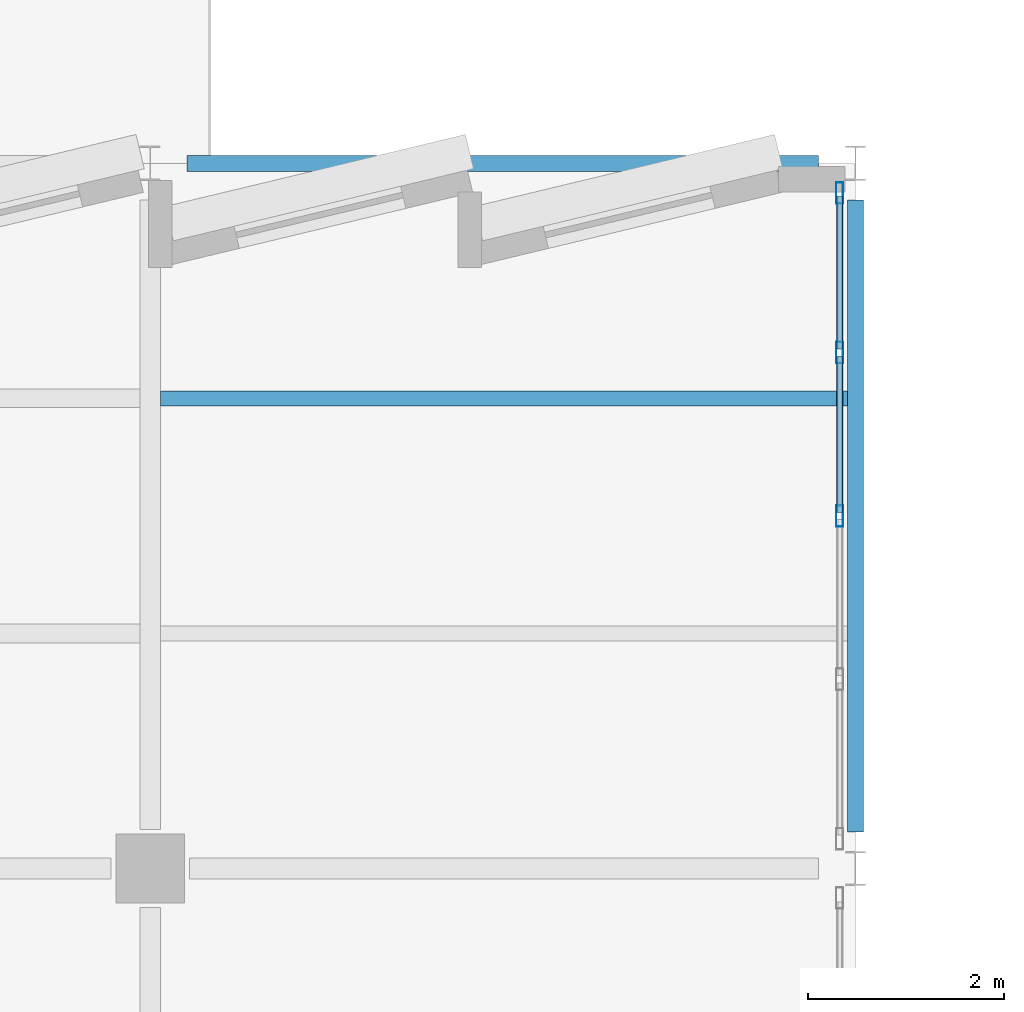
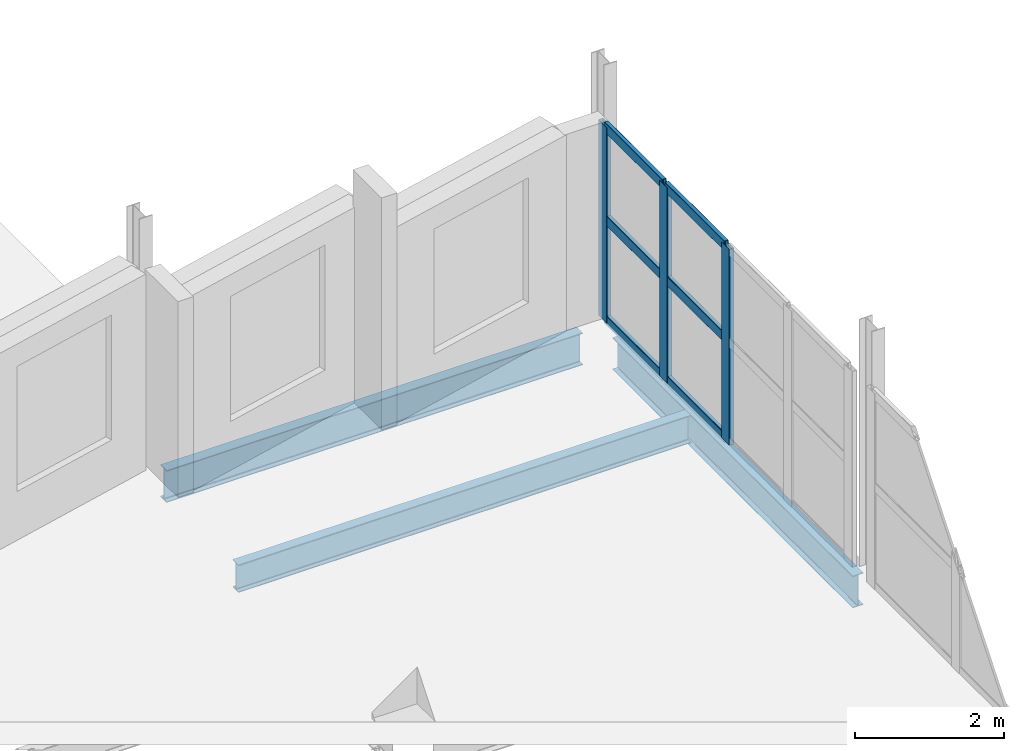
# One storey, part 17 of 38: 9 members, 3 beams, 1 element without a shape of its own.
"""IFC4 building model written with IfcOpenShell, lengths in metres."""

from ifc_helpers import new_model, si_unit, direction, frame, origin, origin_2d, place, context, subcontext, project, spatial, hollow_rectangle, i_section, extrude, material, material_profile, profile_set, type_object, element, aggregate, save


model = new_model("IFC4")

# Units and contexts
model_context = context("Model", 3, precision=1e-05, world=origin(), true_north=direction((0.0, 1.0)))
body_context = subcontext(model_context, "Body", "Model", "MODEL_VIEW")
ifc_project = project(units=[si_unit("LENGTHUNIT", "METRE"), si_unit("AREAUNIT", "SQUARE_METRE"), si_unit("VOLUMEUNIT", "CUBIC_METRE"), si_unit("PLANEANGLEUNIT", "RADIAN"), si_unit("MASSUNIT", "GRAM", prefix="KILO")], contexts=[model_context])

# Site, building, storey
site_placement = place(None, origin())
site = spatial("IfcSite", under=ifc_project, at=site_placement, CompositionType="ELEMENT")
building_placement = place(site_placement, origin())
building = spatial("IfcBuilding", under=site, at=building_placement, Name="Kalmorath City Hall", CompositionType="ELEMENT")
storey_placement = place(building_placement, frame((0.0, 0.0, 18.89990234375)))
storey = spatial("IfcBuildingStorey", under=building, at=storey_placement, Name="L04", CompositionType="ELEMENT", Elevation=18.89990234375)

# Curtain wall, members
ifc_material_1 = material(Name="Anodised aluminium and laminated glass", Category="aluminium")
curtain_wall_type = type_object("IfcCurtainWallType", Name="Unitised hurricane curtain wall 6670x3208 M1500", PredefinedType="NOTDEFINED", material=ifc_material_1)
curtain_wall_placement = place(storey_placement, origin())
curtain_wall = element("IfcCurtainWall", 1, at=curtain_wall_placement, inside=storey, type_object=curtain_wall_type, Name="L04 curtain wall CW-67X32M15 #163", PredefinedType="NOTDEFINED")
ifc_material_2 = material(Name="Anodised aluminium framing", Category="aluminium")
ifc_material_profile_1 = material_profile(ifc_material_2, hollow_rectangle(XDim=0.074951171875, YDim=0.219970703125, WallThickness=0.00390625, InnerFilletRadius=0.00390625, OuterFilletRadius=0.008056640625, at=origin_2d()), Name="ALU-MUL-220X75X4")
ifc_profile_set_1 = profile_set([ifc_material_profile_1], Name="Anodised aluminium framing")
member_type_1 = type_object("IfcMemberType", Name="Curtain-wall primary mullion 220x75", PredefinedType="MULLION", material=ifc_profile_set_1)
member_1_placement = place(storey_placement, frame((35.840087890625, 35.697509765625, 0.0), z_axis=(0.0, 0.0, 1.0), x_axis=(1.0, 0.0, 0.0)))
member_1 = element("IfcMember", 2, at=member_1_placement, type_object=member_type_1, Name="CW-67X32M15 mullion 1", PredefinedType="MULLION", context=body_context, shape_type="SweptSolid", body=[
    extrude(hollow_rectangle(XDim=0.074951171875, YDim=0.219970703125, WallThickness=0.00390625, InnerFilletRadius=0.00390625, OuterFilletRadius=0.008056640625, at=origin_2d()), origin(), (0.0, 0.0, 1.0), 3.2080078125),
])
member_2_placement = place(storey_placement, frame((35.840087890625, 34.0673828125, 0.0), z_axis=(0.0, 0.0, 1.0), x_axis=(1.0, 0.0, 0.0)))
member_2 = element("IfcMember", 3, at=member_2_placement, type_object=member_type_1, Name="CW-67X32M15 mullion 2", PredefinedType="MULLION", context=body_context, shape_type="SweptSolid", body=[
    extrude(hollow_rectangle(XDim=0.074951171875, YDim=0.219970703125, WallThickness=0.00390625, InnerFilletRadius=0.00390625, OuterFilletRadius=0.008056640625, at=origin_2d()), origin(), (0.0, 0.0, 1.0), 3.2080078125),
])
member_3_placement = place(storey_placement, frame((35.840087890625, 32.39990234375, 0.0), z_axis=(0.0, 0.0, 1.0), x_axis=(1.0, 0.0, 0.0)))
member_3 = element("IfcMember", 4, at=member_3_placement, type_object=member_type_1, Name="CW-67X32M15 mullion 3", PredefinedType="MULLION", context=body_context, shape_type="SweptSolid", body=[
    extrude(hollow_rectangle(XDim=0.074951171875, YDim=0.219970703125, WallThickness=0.00390625, InnerFilletRadius=0.00390625, OuterFilletRadius=0.008056640625, at=origin_2d()), origin(), (0.0, 0.0, 1.0), 3.2080078125),
])
ifc_material_3 = material(Name="Anodised aluminium framing", Category="aluminium")
ifc_material_profile_2 = material_profile(ifc_material_3, hollow_rectangle(XDim=0.06494140625, YDim=0.159912109375, WallThickness=0.00390625, InnerFilletRadius=0.00390625, OuterFilletRadius=0.008056640625, at=origin_2d()), Name="ALU-TRN-160X65X4")
ifc_profile_set_2 = profile_set([ifc_material_profile_2], Name="Anodised aluminium framing")
member_type_2 = type_object("IfcMemberType", Name="Curtain-wall primary transom 160x65", PredefinedType="USERDEFINED", material=ifc_profile_set_2)
member_4_placement = place(storey_placement, frame((35.840087890625, 35.659912109375, 0.03271484375), z_axis=(0.0, -1.0, 0.0), x_axis=(1.0, 0.0, 0.0)))
member_4 = element("IfcMember", 5, at=member_4_placement, type_object=member_type_2, Name="CW-67X32M15 transom 1.1", ObjectType="TRANSOM", PredefinedType="USERDEFINED", context=body_context, shape_type="SweptSolid", body=[
    extrude(hollow_rectangle(XDim=0.06494140625, YDim=0.159912109375, WallThickness=0.00390625, InnerFilletRadius=0.00390625, OuterFilletRadius=0.008056640625, at=origin_2d()), origin(), (0.0, 0.0, 1.0), 1.554931640625),
])
member_5_placement = place(storey_placement, frame((35.840087890625, 35.659912109375, 1.668212890625), z_axis=(0.0, -1.0, 0.0), x_axis=(1.0, 0.0, 0.0)))
member_5 = element("IfcMember", 6, at=member_5_placement, type_object=member_type_2, Name="CW-67X32M15 transom 1.2", ObjectType="TRANSOM", PredefinedType="USERDEFINED", context=body_context, shape_type="SweptSolid", body=[
    extrude(hollow_rectangle(XDim=0.06494140625, YDim=0.159912109375, WallThickness=0.00390625, InnerFilletRadius=0.00390625, OuterFilletRadius=0.008056640625, at=origin_2d()), origin(), (0.0, 0.0, 1.0), 1.554931640625),
])
member_6_placement = place(storey_placement, frame((35.840087890625, 35.659912109375, 3.175537109375), z_axis=(0.0, -1.0, 0.0), x_axis=(1.0, 0.0, 0.0)))
member_6 = element("IfcMember", 7, at=member_6_placement, type_object=member_type_2, Name="CW-67X32M15 transom 1.3", ObjectType="TRANSOM", PredefinedType="USERDEFINED", context=body_context, shape_type="SweptSolid", body=[
    extrude(hollow_rectangle(XDim=0.06494140625, YDim=0.159912109375, WallThickness=0.00390625, InnerFilletRadius=0.00390625, OuterFilletRadius=0.008056640625, at=origin_2d()), origin(), (0.0, 0.0, 1.0), 1.554931640625),
])
member_7_placement = place(storey_placement, frame((35.840087890625, 34.030029296875, 0.03271484375), z_axis=(0.0, -1.0, 0.0), x_axis=(1.0, 0.0, 0.0)))
member_7 = element("IfcMember", 8, at=member_7_placement, type_object=member_type_2, Name="CW-67X32M15 transom 2.1", ObjectType="TRANSOM", PredefinedType="USERDEFINED", context=body_context, shape_type="SweptSolid", body=[
    extrude(hollow_rectangle(XDim=0.06494140625, YDim=0.159912109375, WallThickness=0.00390625, InnerFilletRadius=0.00390625, OuterFilletRadius=0.008056640625, at=origin_2d()), origin(), (0.0, 0.0, 1.0), 1.592529296875),
])
member_8_placement = place(storey_placement, frame((35.840087890625, 34.030029296875, 1.668212890625), z_axis=(0.0, -1.0, 0.0), x_axis=(1.0, 0.0, 0.0)))
member_8 = element("IfcMember", 9, at=member_8_placement, type_object=member_type_2, Name="CW-67X32M15 transom 2.2", ObjectType="TRANSOM", PredefinedType="USERDEFINED", context=body_context, shape_type="SweptSolid", body=[
    extrude(hollow_rectangle(XDim=0.06494140625, YDim=0.159912109375, WallThickness=0.00390625, InnerFilletRadius=0.00390625, OuterFilletRadius=0.008056640625, at=origin_2d()), origin(), (0.0, 0.0, 1.0), 1.592529296875),
])
member_9_placement = place(storey_placement, frame((35.840087890625, 34.030029296875, 3.175537109375), z_axis=(0.0, -1.0, 0.0), x_axis=(1.0, 0.0, 0.0)))
member_9 = element("IfcMember", 10, at=member_9_placement, type_object=member_type_2, Name="CW-67X32M15 transom 2.3", ObjectType="TRANSOM", PredefinedType="USERDEFINED", context=body_context, shape_type="SweptSolid", body=[
    extrude(hollow_rectangle(XDim=0.06494140625, YDim=0.159912109375, WallThickness=0.00390625, InnerFilletRadius=0.00390625, OuterFilletRadius=0.008056640625, at=origin_2d()), origin(), (0.0, 0.0, 1.0), 1.592529296875),
])
aggregate(curtain_wall, [member_1, member_2, member_3, member_4, member_5, member_6, member_7, member_8, member_9])

# Beams
ifc_material_4 = material(Name="Steel ASTM A992 Grade 50", Category="steel")
ifc_material_profile_3 = material_profile(ifc_material_4, i_section(OverallWidth=0.153076171875, OverallDepth=0.455078125, WebThickness=0.008056640625, FlangeThickness=0.01318359375, FilletRadius=0.013916015625, at=origin_2d()), Name="W18X40")
ifc_profile_set_3 = profile_set([ifc_material_profile_3], Name="Steel ASTM A992 Grade 50")
beam_type_1 = type_object("IfcBeamType", Name="Steel composite joist W18X40", PredefinedType="JOIST", material=ifc_profile_set_3)
beam_placement = place(storey_placement, frame((28.905517578125, 33.60009765625, -0.521484375), z_axis=(1.0, 0.0, 0.0), x_axis=(0.0, 1.0, 0.0)))
element("IfcBeam", 11, at=beam_placement, inside=storey, type_object=beam_type_1, Name="L04 joist SJ4 5.5.2", PredefinedType="JOIST", context=body_context, shape_type="SweptSolid", body=[
    extrude(i_section(OverallWidth=0.153076171875, OverallDepth=0.455078125, WebThickness=0.008056640625, FlangeThickness=0.01318359375, FilletRadius=0.013916015625, at=origin_2d()), origin(), (0.0, 0.0, 1.0), 7.011962890625),
])
ifc_material_5 = material(Name="Steel ASTM A992 Grade 50", Category="steel")
ifc_material_profile_4 = material_profile(ifc_material_5, i_section(OverallWidth=0.1650390625, OverallDepth=0.52490234375, WebThickness=0.0087890625, FlangeThickness=0.011474609375, FilletRadius=0.014892578125, at=origin_2d()), Name="W21X44")
ifc_profile_set_4 = profile_set([ifc_material_profile_4], Name="Steel ASTM A992 Grade 50")
beam_type_2 = type_object("IfcBeamType", Name="Steel spandrel beam W21X44", PredefinedType="SPANDREL", material=ifc_profile_set_4)
for number, where, z_axis, x_axis, name in (
    (12, (29.175048828125, 36.0, -0.556396484375), (1.0, 0.0, 0.0), (0.0, 1.0, 0.0), "L04 girder SB4 X5-6/6"),
    (13, (36.0, 29.175048828125, -0.556396484375), (0.0, 1.0, 0.0), (-1.0, 0.0, 0.0), "L04 girder SB4 Y6/5-6"),
):
    element("IfcBeam", number, at=place(storey_placement, frame(where, z_axis=z_axis, x_axis=x_axis)), inside=storey, type_object=beam_type_2, Name=name, PredefinedType="SPANDREL", context=body_context, shape_type="SweptSolid", body=[
        extrude(i_section(OverallWidth=0.1650390625, OverallDepth=0.52490234375, WebThickness=0.0087890625, FlangeThickness=0.011474609375, FilletRadius=0.014892578125, at=origin_2d()), origin(), (0.0, 0.0, 1.0), 6.449951171875),
    ])

save(model, "model.ifc")
